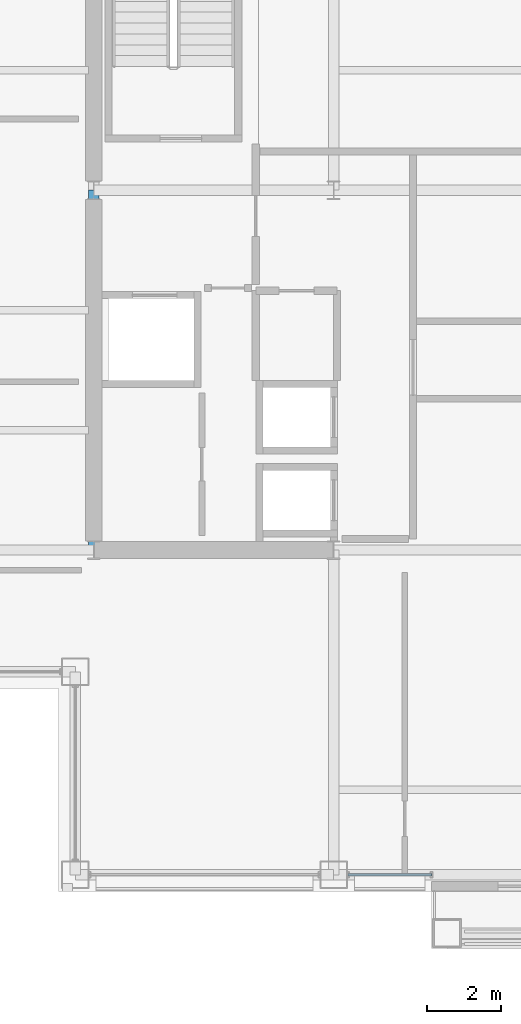
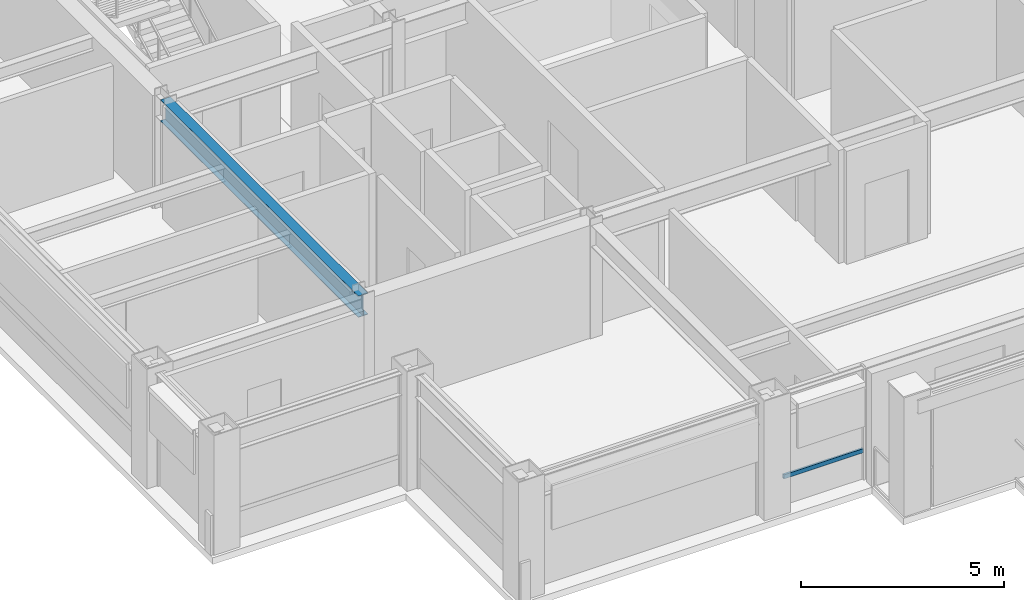
# One storey, part 5 of 31: 1 beam, 1 member, 1 element without a shape of its own.
"""IFC4 building model written with IfcOpenShell, lengths in metres."""

from ifc_helpers import new_model, si_unit, direction, frame, origin, origin_2d, place, context, subcontext, project, spatial, hollow_rectangle, i_section, extrude, material, layer, layer_set, material_profile, profile_set, type_object, element, aggregate, save


model = new_model("IFC4")

# Units and contexts
model_context = context("Model", 3, precision=1e-05, world=origin(), true_north=direction((0.0, 1.0)))
body_context = subcontext(model_context, "Body", "Model", "MODEL_VIEW")
ifc_project = project(units=[si_unit("LENGTHUNIT", "METRE"), si_unit("AREAUNIT", "SQUARE_METRE"), si_unit("VOLUMEUNIT", "CUBIC_METRE"), si_unit("PLANEANGLEUNIT", "RADIAN"), si_unit("MASSUNIT", "GRAM", prefix="KILO")], contexts=[model_context])

# Site, building, storey
site_placement = place(None, origin())
site = spatial("IfcSite", under=ifc_project, at=site_placement, CompositionType="ELEMENT")
building_placement = place(site_placement, origin())
building = spatial("IfcBuilding", under=site, at=building_placement, Name="Brelmoor Portico Tower", CompositionType="ELEMENT")
storey_placement = place(building_placement, frame((0.0, 0.0, 176.699951171875)))
storey = spatial("IfcBuildingStorey", under=building, at=storey_placement, Name="L46", CompositionType="ELEMENT", Elevation=176.699951171875)

# Beam
ifc_material_1 = material(Name="Steel Q355B", Category="steel")
ifc_material_profile_1 = material_profile(ifc_material_1, i_section(OverallWidth=0.280029296875, OverallDepth=0.64990234375, WebThickness=0.012939453125, FlangeThickness=0.02197265625, at=origin_2d()), Name="HN 650x280x13x22")
ifc_profile_set_1 = profile_set([ifc_material_profile_1], Name="Steel Q355B")
beam_type = type_object("IfcBeamType", Name="BM-PG-650", PredefinedType="BEAM", material=ifc_profile_set_1)
beam_placement = place(storey_placement, frame((-14.550048828125, -9.75, 3.074951171875), z_axis=(0.0, 1.0, 0.0), x_axis=(-1.0, 0.0, 0.0)))
element("IfcBeam", 1, at=beam_placement, inside=storey, type_object=beam_type, Name="L46 Primary Floor Girder PG-01", PredefinedType="BEAM", context=body_context, shape_type="SweptSolid", body=[
    extrude(i_section(OverallWidth=0.280029296875, OverallDepth=0.64990234375, WebThickness=0.012939453125, FlangeThickness=0.02197265625, at=origin_2d()), origin(), (0.0, 0.0, 1.0), 9.75),
])

# Curtain wall, member
ifc_material_2 = material(Name="Anodised Aluminium Alloy 6063-T6", Category="aluminium")
ifc_layer = layer(ifc_material_2, 0.179931640625)
ifc_layer_set = layer_set([ifc_layer], Name="Anodised Aluminium Alloy 6063-T6")
curtain_wall_type = type_object("IfcCurtainWallType", Name="CW-TOWER-Z3", PredefinedType="NOTDEFINED", material=ifc_layer_set)
curtain_wall_placement = place(storey_placement, origin())
curtain_wall = element("IfcCurtainWall", 2, at=curtain_wall_placement, inside=storey, type_object=curtain_wall_type, Name="L46 Curtain Wall CW-L46-1L-2", PredefinedType="NOTDEFINED")
ifc_material_profile_2 = material_profile(ifc_material_2, hollow_rectangle(XDim=0.06005859375, YDim=0.125, WallThickness=0.00341796875, at=origin_2d()), Name="ALU TRANSOM 60x125")
ifc_profile_set_2 = profile_set([ifc_material_profile_2], Name="Anodised Aluminium Alloy 6063-T6")
member_type = type_object("IfcMemberType", Name="MB-CW-TRAN-125", PredefinedType="USERDEFINED", material=ifc_profile_set_2)
member_placement = place(storey_placement, frame((-7.6650390625, -18.550048828125, 0.85009765625), z_axis=(1.0, 0.0, 0.0), x_axis=(0.0, 1.0, 0.0)))
member = element("IfcMember", 3, at=member_placement, type_object=member_type, Name="CW-L46-1L-2 Transom 1-00", ObjectType="TRANSOM", PredefinedType="USERDEFINED", context=body_context, shape_type="SweptSolid", body=[
    extrude(hollow_rectangle(XDim=0.06005859375, YDim=0.125, WallThickness=0.00341796875, at=origin_2d()), origin(), (0.0, 0.0, 1.0), 2.26513671875),
])
aggregate(curtain_wall, [member])

save(model, "model.ifc")
